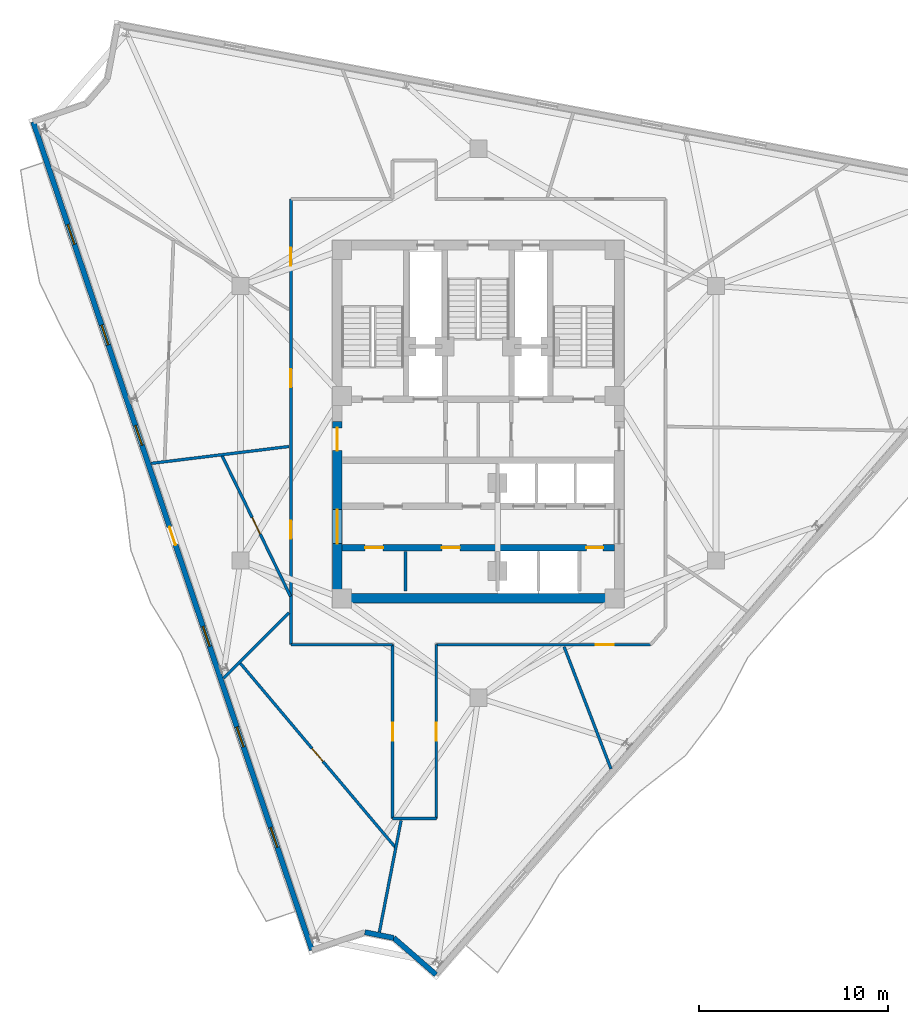
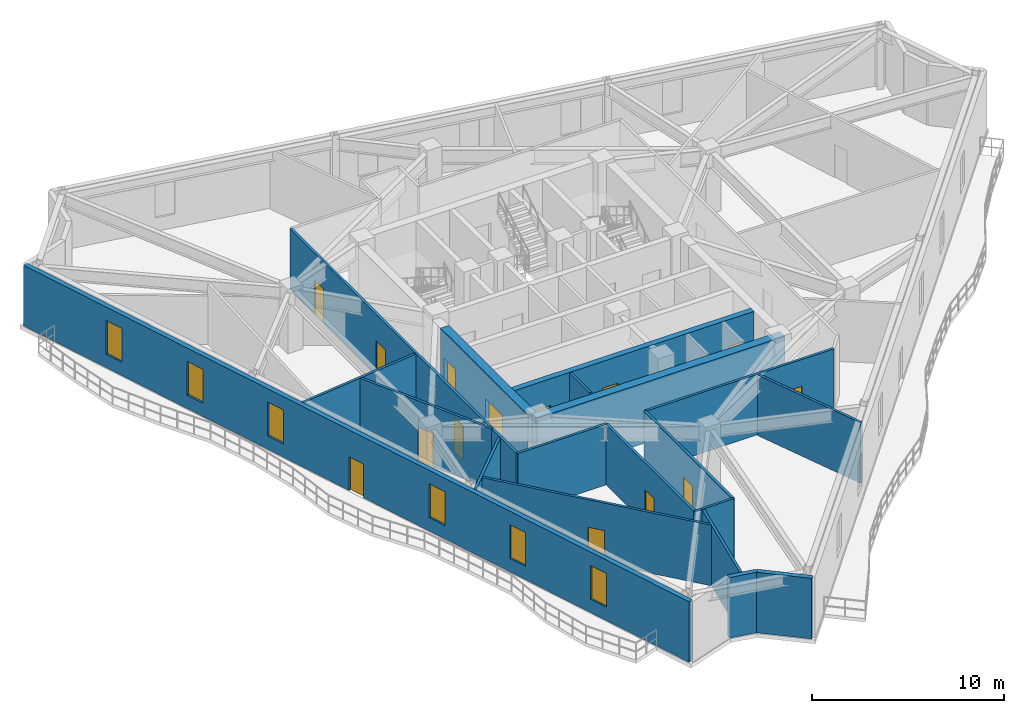
# One storey, part 4 of 10: 19 walls, 14 doors, 6 windows, 20 openings.
"""IFC4 building model written with IfcOpenShell, lengths in metres."""

from ifc_helpers import new_model, si_unit, direction, frame, frame_2d, origin, place, context, subcontext, project, spatial, rectangle, extrude, material, layer, layer_set, type_object, element, fill, save


model = new_model("IFC4")

# Units and contexts
model_context = context("Model", 3, precision=1e-05, world=origin(), true_north=direction((0.0, 1.0)))
body_context = subcontext(model_context, "Body", "Model", "MODEL_VIEW")
ifc_project = project(units=[si_unit("LENGTHUNIT", "METRE"), si_unit("AREAUNIT", "SQUARE_METRE"), si_unit("VOLUMEUNIT", "CUBIC_METRE"), si_unit("PLANEANGLEUNIT", "RADIAN"), si_unit("MASSUNIT", "GRAM", prefix="KILO")], contexts=[model_context])

# Site, building, storey
site_placement = place(None, origin())
site = spatial("IfcSite", under=ifc_project, at=site_placement, CompositionType="ELEMENT")
building_placement = place(site_placement, origin())
building = spatial("IfcBuilding", under=site, at=building_placement, Name="Apsidion Concourse Tower", CompositionType="ELEMENT")
storey_placement = place(building_placement, frame((0.0, 0.0, 269.60009765625)))
storey = spatial("IfcBuildingStorey", under=building, at=storey_placement, Name="L63", CompositionType="ELEMENT", Elevation=269.60009765625)

# Walls
ifc_material_1 = material(Name="Precast concrete C40/50", Category="concrete")
ifc_layer_1 = layer(ifc_material_1, 0.280029296875)
ifc_layer_set_1 = layer_set([ifc_layer_1], Name="Precast concrete C40/50")
wall_type_1 = type_object("IfcWallType", Name="WL-EXT-280", PredefinedType="STANDARD", material=ifc_layer_set_1)
wall_1_placement = place(storey_placement, frame((-2.235595703125, -29.126220703125, 0.0), z_axis=(0.0, 0.0, 1.0), x_axis=(-0.754753154029, 0.656008899698, 0.0)))
element("IfcWall", 1, at=wall_1_placement, inside=storey, type_object=wall_type_1, Name="L63 Precast Stone Facade Wall 06", PredefinedType="STANDARD", context=body_context, shape_type="SweptSolid", body=[
    extrude(rectangle(XDim=2.95458984375, YDim=0.280029296875, at=frame_2d((1.477294921875, 0.0))), origin(), (0.0, 0.0, 1.0), 3.849853515625),
])
wall_2_placement = place(storey_placement, frame((-4.465576171875, -27.18798828125, 0.0), z_axis=(0.0, 0.0, 1.0), x_axis=(-0.980935552899, 0.194333324621, 0.0)))
element("IfcWall", 2, at=wall_2_placement, inside=storey, type_object=wall_type_1, Name="L63 Precast Stone Facade Wall 07", PredefinedType="STANDARD", context=body_context, shape_type="SweptSolid", body=[
    extrude(rectangle(XDim=1.553955078125, YDim=0.280029296875, at=frame_2d((0.77685546875, 0.0))), origin(), (0.0, 0.0, 1.0), 3.849853515625),
])

# Wall, openings, door, windows
wall_3_placement = place(storey_placement, frame((-8.790283203125, -27.828125, 0.0), z_axis=(0.0, 0.0, 1.0), x_axis=(-0.318898365887, 0.947788917552, 0.0)))
wall_3 = element("IfcWall", 3, at=wall_3_placement, inside=storey, type_object=wall_type_1, Name="L63 Precast Stone Facade Wall 09", PredefinedType="STANDARD", context=body_context, shape_type="SweptSolid", body=[
    extrude(rectangle(XDim=46.16259765625, YDim=0.280029296875, at=frame_2d((23.081298828125, 0.0))), origin(), (0.0, 0.0, 1.0), 3.849853515625),
])
opening_1_placement = place(wall_3_placement, frame((22.581298828125, 0.0, 0.0)))
opening_1 = element("IfcOpeningElement", 4, at=opening_1_placement, cuts=wall_3, Name="Opening D-T1R", PredefinedType="OPENING", context=body_context, shape_type="SweptSolid", body=[
    extrude(rectangle(XDim=1.0, YDim=2.14990234375, at=frame_2d((0.5, 1.074951171875))), frame((0.0, 0.14990234375, 0.0), z_axis=(0.0, -1.0, 0.0), x_axis=(1.0, 0.0, 0.0)), (0.0, 0.0, 1.0), 0.300048828125),
])
opening_2_placement = place(wall_3_placement, frame((5.731201171875, 0.0, 0.85009765625)))
opening_2 = element("IfcOpeningElement", 5, at=opening_2_placement, cuts=wall_3, Name="Opening WN-07", PredefinedType="OPENING", context=body_context, shape_type="SweptSolid", body=[
    extrude(rectangle(XDim=1.10009765625, YDim=2.14990234375, at=frame_2d((0.550048828125, 1.074951171875))), frame((0.0, 0.14990234375, 0.0), z_axis=(0.0, -1.0, 0.0), x_axis=(1.0, 0.0, 0.0)), (0.0, 0.0, 1.0), 0.300048828125),
])
opening_3_placement = place(wall_3_placement, frame((11.331298828125, 0.0, 0.85009765625)))
opening_3 = element("IfcOpeningElement", 6, at=opening_3_placement, cuts=wall_3, Name="Opening WN-07", PredefinedType="OPENING", context=body_context, shape_type="SweptSolid", body=[
    extrude(rectangle(XDim=1.10009765625, YDim=2.14990234375, at=frame_2d((0.550048828125, 1.074951171875))), frame((0.0, 0.14990234375, 0.0), z_axis=(0.0, -1.0, 0.0), x_axis=(1.0, 0.0, 0.0)), (0.0, 0.0, 1.0), 0.300048828125),
])
opening_4_placement = place(wall_3_placement, frame((16.931396484375, 0.0, 0.85009765625)))
opening_4 = element("IfcOpeningElement", 7, at=opening_4_placement, cuts=wall_3, Name="Opening WN-07", PredefinedType="OPENING", context=body_context, shape_type="SweptSolid", body=[
    extrude(rectangle(XDim=1.10009765625, YDim=2.14990234375, at=frame_2d((0.550048828125, 1.074951171875))), frame((0.0, 0.14990234375, 0.0), z_axis=(0.0, -1.0, 0.0), x_axis=(1.0, 0.0, 0.0)), (0.0, 0.0, 1.0), 0.300048828125),
])
opening_5_placement = place(wall_3_placement, frame((28.13134765625, 0.0, 0.85009765625)))
opening_5 = element("IfcOpeningElement", 8, at=opening_5_placement, cuts=wall_3, Name="Opening WN-07", PredefinedType="OPENING", context=body_context, shape_type="SweptSolid", body=[
    extrude(rectangle(XDim=1.10009765625, YDim=2.14990234375, at=frame_2d((0.550048828125, 1.074951171875))), frame((0.0, 0.14990234375, 0.0), z_axis=(0.0, -1.0, 0.0), x_axis=(1.0, 0.0, 0.0)), (0.0, 0.0, 1.0), 0.300048828125),
])
opening_6_placement = place(wall_3_placement, frame((33.731201171875, 0.0, 0.85009765625)))
opening_6 = element("IfcOpeningElement", 9, at=opening_6_placement, cuts=wall_3, Name="Opening WN-07", PredefinedType="OPENING", context=body_context, shape_type="SweptSolid", body=[
    extrude(rectangle(XDim=1.10009765625, YDim=2.14990234375, at=frame_2d((0.550048828125, 1.074951171875))), frame((0.0, 0.14990234375, 0.0), z_axis=(0.0, -1.0, 0.0), x_axis=(1.0, 0.0, 0.0)), (0.0, 0.0, 1.0), 0.300048828125),
])
opening_7_placement = place(wall_3_placement, frame((39.331298828125, 0.0, 0.85009765625)))
opening_7 = element("IfcOpeningElement", 10, at=opening_7_placement, cuts=wall_3, Name="Opening WN-07", PredefinedType="OPENING", context=body_context, shape_type="SweptSolid", body=[
    extrude(rectangle(XDim=1.10009765625, YDim=2.14990234375, at=frame_2d((0.550048828125, 1.074951171875))), frame((0.0, 0.14990234375, 0.0), z_axis=(0.0, -1.0, 0.0), x_axis=(1.0, 0.0, 0.0)), (0.0, 0.0, 1.0), 0.300048828125),
])
ifc_material_2 = material(Name="Anodised aluminium EN AW-6063 T6", Category="aluminium")
door_type_1 = type_object("IfcDoorType", Name="DR-TER-1022R", OperationType="SINGLE_SWING_RIGHT", PredefinedType="DOOR", material=ifc_material_2)
door_1_placement = place(opening_1_placement, origin())
door_1 = element("IfcDoor", 11, at=door_1_placement, inside=storey, type_object=door_type_1, Name="L63 Balcony Access Door 1", OperationType="SINGLE_SWING_RIGHT", OverallHeight=2.14990234375, OverallWidth=1.0, PredefinedType="DOOR", context=body_context, shape_type="SweptSolid", body=[
    extrude(rectangle(XDim=1.0, YDim=2.14990234375, at=frame_2d((0.5, 1.074951171875))), frame((0.0, 0.02490234375, 0.0), z_axis=(0.0, -1.0, 0.0), x_axis=(1.0, 0.0, 0.0)), (0.0, 0.0, 1.0), 0.050048828125),
])
fill(opening_1, door_1)
ifc_material_3 = material(Name="Insulated laminated low-E glass", Category="glass")
window_type = type_object("IfcWindowType", Name="WN-OFF-1123", PartitioningType="SINGLE_PANEL", PredefinedType="WINDOW", material=ifc_material_3)
window_1_placement = place(opening_2_placement, origin())
window_1 = element("IfcWindow", 12, at=window_1_placement, inside=storey, type_object=window_type, Name="L63 Punched Facade Window 9-01", OverallHeight=2.14990234375, OverallWidth=1.10009765625, PartitioningType="SINGLE_PANEL", PredefinedType="WINDOW", context=body_context, shape_type="SweptSolid", body=[
    extrude(rectangle(XDim=1.10009765625, YDim=2.14990234375, at=frame_2d((0.550048828125, 1.074951171875))), frame((0.0, 0.030029296875, 0.0), z_axis=(0.0, -1.0, 0.0), x_axis=(1.0, 0.0, 0.0)), (0.0, 0.0, 1.0), 0.06005859375),
])
fill(opening_2, window_1)
window_2_placement = place(opening_3_placement, origin())
window_2 = element("IfcWindow", 13, at=window_2_placement, inside=storey, type_object=window_type, Name="L63 Punched Facade Window 9-02", OverallHeight=2.14990234375, OverallWidth=1.10009765625, PartitioningType="SINGLE_PANEL", PredefinedType="WINDOW", context=body_context, shape_type="SweptSolid", body=[
    extrude(rectangle(XDim=1.10009765625, YDim=2.14990234375, at=frame_2d((0.550048828125, 1.074951171875))), frame((0.0, 0.030029296875, 0.0), z_axis=(0.0, -1.0, 0.0), x_axis=(1.0, 0.0, 0.0)), (0.0, 0.0, 1.0), 0.06005859375),
])
fill(opening_3, window_2)
window_3_placement = place(opening_4_placement, origin())
window_3 = element("IfcWindow", 14, at=window_3_placement, inside=storey, type_object=window_type, Name="L63 Punched Facade Window 9-03", OverallHeight=2.14990234375, OverallWidth=1.10009765625, PartitioningType="SINGLE_PANEL", PredefinedType="WINDOW", context=body_context, shape_type="SweptSolid", body=[
    extrude(rectangle(XDim=1.10009765625, YDim=2.14990234375, at=frame_2d((0.550048828125, 1.074951171875))), frame((0.0, 0.030029296875, 0.0), z_axis=(0.0, -1.0, 0.0), x_axis=(1.0, 0.0, 0.0)), (0.0, 0.0, 1.0), 0.06005859375),
])
fill(opening_4, window_3)
window_4_placement = place(opening_5_placement, origin())
window_4 = element("IfcWindow", 15, at=window_4_placement, inside=storey, type_object=window_type, Name="L63 Punched Facade Window 9-05", OverallHeight=2.14990234375, OverallWidth=1.10009765625, PartitioningType="SINGLE_PANEL", PredefinedType="WINDOW", context=body_context, shape_type="SweptSolid", body=[
    extrude(rectangle(XDim=1.10009765625, YDim=2.14990234375, at=frame_2d((0.550048828125, 1.074951171875))), frame((0.0, 0.030029296875, 0.0), z_axis=(0.0, -1.0, 0.0), x_axis=(1.0, 0.0, 0.0)), (0.0, 0.0, 1.0), 0.06005859375),
])
fill(opening_5, window_4)
window_5_placement = place(opening_6_placement, origin())
window_5 = element("IfcWindow", 16, at=window_5_placement, inside=storey, type_object=window_type, Name="L63 Punched Facade Window 9-06", OverallHeight=2.14990234375, OverallWidth=1.10009765625, PartitioningType="SINGLE_PANEL", PredefinedType="WINDOW", context=body_context, shape_type="SweptSolid", body=[
    extrude(rectangle(XDim=1.10009765625, YDim=2.14990234375, at=frame_2d((0.550048828125, 1.074951171875))), frame((0.0, 0.030029296875, 0.0), z_axis=(0.0, -1.0, 0.0), x_axis=(1.0, 0.0, 0.0)), (0.0, 0.0, 1.0), 0.06005859375),
])
fill(opening_6, window_5)
window_6_placement = place(opening_7_placement, origin())
window_6 = element("IfcWindow", 17, at=window_6_placement, inside=storey, type_object=window_type, Name="L63 Punched Facade Window 9-07", OverallHeight=2.14990234375, OverallWidth=1.10009765625, PartitioningType="SINGLE_PANEL", PredefinedType="WINDOW", context=body_context, shape_type="SweptSolid", body=[
    extrude(rectangle(XDim=1.10009765625, YDim=2.14990234375, at=frame_2d((0.550048828125, 1.074951171875))), frame((0.0, 0.030029296875, 0.0), z_axis=(0.0, -1.0, 0.0), x_axis=(1.0, 0.0, 0.0)), (0.0, 0.0, 1.0), 0.06005859375),
])
fill(opening_7, window_6)

# Walls
ifc_material_4 = material(Name="Gypsum plasterboard partition")
ifc_layer_2 = layer(ifc_material_4, 0.14990234375)
ifc_layer_set_2 = layer_set([ifc_layer_2], Name="Gypsum plasterboard partition")
wall_type_2 = type_object("IfcWallType", Name="WL-INT-PAR-150", PredefinedType="PARTITIONING", material=ifc_layer_set_2)
wall_4_placement = place(storey_placement, frame((-3.85009765625, -8.85009765625, 0.0), z_axis=(0.0, 0.0, 1.0), x_axis=(0.0, 1.0, 0.0)))
element("IfcWall", 18, at=wall_4_placement, inside=storey, type_object=wall_type_2, Name="L63 Interior Partition WL-L63-B2RV1", PredefinedType="PARTITIONING", context=body_context, shape_type="SweptSolid", body=[
    extrude(rectangle(XDim=2.080078125, YDim=0.14990234375, at=frame_2d((1.0400390625, 0.0))), origin(), (0.0, 0.0, 1.0), 3.849853515625),
])
wall_5_placement = place(storey_placement, frame((-4.530029296875, -11.699951171875, 0.0), z_axis=(0.0, 0.0, 1.0), x_axis=(-1.0, 0.0, 0.0)))
element("IfcWall", 19, at=wall_5_placement, inside=storey, type_object=wall_type_2, Name="L63 Interior Partition WL-L63-CORR-01", PredefinedType="PARTITIONING", context=body_context, shape_type="SweptSolid", body=[
    extrude(rectangle(XDim=5.369873046875, YDim=0.14990234375, at=frame_2d((2.68505859375, 0.0))), origin(), (0.0, 0.0, 1.0), 3.849853515625),
])

# Wall, openings, doors
wall_6_placement = place(storey_placement, frame((-9.89990234375, -11.699951171875, 0.0), z_axis=(0.0, 0.0, 1.0), x_axis=(0.0, 1.0, 0.0)))
wall_6 = element("IfcWall", 20, at=wall_6_placement, inside=storey, type_object=wall_type_2, Name="L63 Interior Partition WL-L63-CORR-02", PredefinedType="PARTITIONING", context=body_context, shape_type="SweptSolid", body=[
    extrude(rectangle(XDim=23.550048828125, YDim=0.14990234375, at=frame_2d((11.77490234375, 0.0))), origin(), (0.0, 0.0, 1.0), 3.849853515625),
])
opening_8_placement = place(wall_6_placement, frame((5.603271484375, 0.0, 0.0)))
opening_8 = element("IfcOpeningElement", 21, at=opening_8_placement, cuts=wall_6, Name="Opening D-01L", PredefinedType="OPENING", context=body_context, shape_type="SweptSolid", body=[
    extrude(rectangle(XDim=0.949951171875, YDim=2.14990234375, at=frame_2d((0.47509765625, 1.074951171875))), frame((0.0, 0.0849609375, 0.0), z_axis=(0.0, -1.0, 0.0), x_axis=(1.0, 0.0, 0.0)), (0.0, 0.0, 1.0), 0.169921875),
])
opening_9_placement = place(wall_6_placement, frame((20.027587890625, 0.0, 0.0)))
opening_9 = element("IfcOpeningElement", 22, at=opening_9_placement, cuts=wall_6, Name="Opening D-01L", PredefinedType="OPENING", context=body_context, shape_type="SweptSolid", body=[
    extrude(rectangle(XDim=0.949951171875, YDim=2.14990234375, at=frame_2d((0.47509765625, 1.074951171875))), frame((0.0, 0.0849609375, 0.0), z_axis=(0.0, -1.0, 0.0), x_axis=(1.0, 0.0, 0.0)), (0.0, 0.0, 1.0), 0.169921875),
])
opening_10_placement = place(wall_6_placement, frame((13.612548828125, 0.0, 0.0)))
opening_10 = element("IfcOpeningElement", 23, at=opening_10_placement, cuts=wall_6, Name="Opening D-01R", PredefinedType="OPENING", context=body_context, shape_type="SweptSolid", body=[
    extrude(rectangle(XDim=0.949951171875, YDim=2.14990234375, at=frame_2d((0.47509765625, 1.074951171875))), frame((0.0, 0.0849609375, 0.0), z_axis=(0.0, -1.0, 0.0), x_axis=(1.0, 0.0, 0.0)), (0.0, 0.0, 1.0), 0.169921875),
])
ifc_material_5 = material(Name="Brushed stainless steel 316", Category="steel")
door_type_2 = type_object("IfcDoorType", Name="DR-INT-D01L", OperationType="SINGLE_SWING_LEFT", PredefinedType="DOOR", material=ifc_material_5)
door_2_placement = place(opening_8_placement, origin())
door_2 = element("IfcDoor", 24, at=door_2_placement, inside=storey, type_object=door_type_2, Name="L63 Corridor Entry Door 01", OperationType="SINGLE_SWING_LEFT", OverallHeight=2.14990234375, OverallWidth=0.949951171875, PredefinedType="DOOR", context=body_context, shape_type="SweptSolid", body=[
    extrude(rectangle(XDim=0.949951171875, YDim=2.14990234375, at=frame_2d((0.47509765625, 1.074951171875))), frame((0.0, 0.02490234375, 0.0), z_axis=(0.0, -1.0, 0.0), x_axis=(1.0, 0.0, 0.0)), (0.0, 0.0, 1.0), 0.050048828125),
])
fill(opening_8, door_2)
door_3_placement = place(opening_9_placement, origin())
door_3 = element("IfcDoor", 25, at=door_3_placement, inside=storey, type_object=door_type_2, Name="L63 Corridor Entry Door 09", OperationType="SINGLE_SWING_LEFT", OverallHeight=2.14990234375, OverallWidth=0.949951171875, PredefinedType="DOOR", context=body_context, shape_type="SweptSolid", body=[
    extrude(rectangle(XDim=0.949951171875, YDim=2.14990234375, at=frame_2d((0.47509765625, 1.074951171875))), frame((0.0, 0.02490234375, 0.0), z_axis=(0.0, -1.0, 0.0), x_axis=(1.0, 0.0, 0.0)), (0.0, 0.0, 1.0), 0.050048828125),
])
fill(opening_9, door_3)
door_type_3 = type_object("IfcDoorType", Name="DR-INT-D01R", OperationType="SINGLE_SWING_RIGHT", PredefinedType="DOOR", material=ifc_material_5)
door_4_placement = place(opening_10_placement, origin())
door_4 = element("IfcDoor", 26, at=door_4_placement, inside=storey, type_object=door_type_3, Name="L63 Corridor Entry Door 10", OperationType="SINGLE_SWING_RIGHT", OverallHeight=2.14990234375, OverallWidth=0.949951171875, PredefinedType="DOOR", context=body_context, shape_type="SweptSolid", body=[
    extrude(rectangle(XDim=0.949951171875, YDim=2.14990234375, at=frame_2d((0.47509765625, 1.074951171875))), frame((0.0, 0.02490234375, 0.0), z_axis=(0.0, -1.0, 0.0), x_axis=(1.0, 0.0, 0.0)), (0.0, 0.0, 1.0), 0.050048828125),
])
fill(opening_10, door_4)

# Wall, opening, door
wall_7_placement = place(storey_placement, frame((9.103271484375, -11.699951171875, 0.0), z_axis=(0.0, 0.0, 1.0), x_axis=(-1.0, 0.0, 0.0)))
wall_7 = element("IfcWall", 27, at=wall_7_placement, inside=storey, type_object=wall_type_2, Name="L63 Interior Partition WL-L63-CORR-10", PredefinedType="PARTITIONING", context=body_context, shape_type="SweptSolid", body=[
    extrude(rectangle(XDim=11.3232421875, YDim=0.14990234375, at=frame_2d((5.66162109375, 0.0))), origin(), (0.0, 0.0, 1.0), 3.849853515625),
])
opening_11_placement = place(wall_7_placement, frame((1.940185546875, 0.0, 0.0)))
opening_11 = element("IfcOpeningElement", 28, at=opening_11_placement, cuts=wall_7, Name="Opening D-01R", PredefinedType="OPENING", context=body_context, shape_type="SweptSolid", body=[
    extrude(rectangle(XDim=0.949951171875, YDim=2.14990234375, at=frame_2d((0.47509765625, 1.074951171875))), frame((0.0, 0.0849609375, 0.0), z_axis=(0.0, -1.0, 0.0), x_axis=(1.0, 0.0, 0.0)), (0.0, 0.0, 1.0), 0.169921875),
])
door_5_placement = place(opening_11_placement, origin())
door_5 = element("IfcDoor", 29, at=door_5_placement, inside=storey, type_object=door_type_3, Name="L63 Corridor Entry Door 04", OperationType="SINGLE_SWING_RIGHT", OverallHeight=2.14990234375, OverallWidth=0.949951171875, PredefinedType="DOOR", context=body_context, shape_type="SweptSolid", body=[
    extrude(rectangle(XDim=0.949951171875, YDim=2.14990234375, at=frame_2d((0.47509765625, 1.074951171875))), frame((0.0, 0.02490234375, 0.0), z_axis=(0.0, -1.0, 0.0), x_axis=(1.0, 0.0, 0.0)), (0.0, 0.0, 1.0), 0.050048828125),
])
fill(opening_11, door_5)

wall_8_placement = place(storey_placement, frame((-2.219970703125, -11.699951171875, 0.0), z_axis=(0.0, 0.0, 1.0), x_axis=(0.0, -1.0, 0.0)))
wall_8 = element("IfcWall", 30, at=wall_8_placement, inside=storey, type_object=wall_type_2, Name="L63 Interior Partition WL-L63-CORR-11", PredefinedType="PARTITIONING", context=body_context, shape_type="SweptSolid", body=[
    extrude(rectangle(XDim=9.179931640625, YDim=0.14990234375, at=frame_2d((4.58984375, 0.0))), origin(), (0.0, 0.0, 1.0), 3.849853515625),
])
opening_12_placement = place(wall_8_placement, frame((4.114990234375, 0.0, 0.0)))
opening_12 = element("IfcOpeningElement", 31, at=opening_12_placement, cuts=wall_8, Name="Opening D-01L", PredefinedType="OPENING", context=body_context, shape_type="SweptSolid", body=[
    extrude(rectangle(XDim=0.949951171875, YDim=2.14990234375, at=frame_2d((0.47509765625, 1.074951171875))), frame((0.0, 0.0849609375, 0.0), z_axis=(0.0, -1.0, 0.0), x_axis=(1.0, 0.0, 0.0)), (0.0, 0.0, 1.0), 0.169921875),
])
door_6_placement = place(opening_12_placement, origin())
door_6 = element("IfcDoor", 32, at=door_6_placement, inside=storey, type_object=door_type_2, Name="L63 Corridor Entry Door 03", OperationType="SINGLE_SWING_LEFT", OverallHeight=2.14990234375, OverallWidth=0.949951171875, PredefinedType="DOOR", context=body_context, shape_type="SweptSolid", body=[
    extrude(rectangle(XDim=0.949951171875, YDim=2.14990234375, at=frame_2d((0.47509765625, 1.074951171875))), frame((0.0, 0.02490234375, 0.0), z_axis=(0.0, -1.0, 0.0), x_axis=(1.0, 0.0, 0.0)), (0.0, 0.0, 1.0), 0.050048828125),
])
fill(opening_12, door_6)

# Wall
wall_9_placement = place(storey_placement, frame((-2.219970703125, -20.8798828125, 0.0), z_axis=(0.0, 0.0, 1.0), x_axis=(-1.0, 0.0, 0.0)))
element("IfcWall", 33, at=wall_9_placement, inside=storey, type_object=wall_type_2, Name="L63 Interior Partition WL-L63-CORR-12", PredefinedType="PARTITIONING", context=body_context, shape_type="SweptSolid", body=[
    extrude(rectangle(XDim=2.31005859375, YDim=0.14990234375, at=frame_2d((1.155029296875, 0.0))), origin(), (0.0, 0.0, 1.0), 3.849853515625),
])

# Wall, opening, door
wall_10_placement = place(storey_placement, frame((-4.530029296875, -20.8798828125, 0.0), z_axis=(0.0, 0.0, 1.0), x_axis=(0.0, 1.0, 0.0)))
wall_10 = element("IfcWall", 34, at=wall_10_placement, inside=storey, type_object=wall_type_2, Name="L63 Interior Partition WL-L63-CORR-13", PredefinedType="PARTITIONING", context=body_context, shape_type="SweptSolid", body=[
    extrude(rectangle(XDim=9.179931640625, YDim=0.14990234375, at=frame_2d((4.58984375, 0.0))), origin(), (0.0, 0.0, 1.0), 3.849853515625),
])
opening_13_placement = place(wall_10_placement, frame((4.114990234375, 0.0, 0.0)))
opening_13 = element("IfcOpeningElement", 35, at=opening_13_placement, cuts=wall_10, Name="Opening D-01R", PredefinedType="OPENING", context=body_context, shape_type="SweptSolid", body=[
    extrude(rectangle(XDim=0.949951171875, YDim=2.14990234375, at=frame_2d((0.47509765625, 1.074951171875))), frame((0.0, 0.0849609375, 0.0), z_axis=(0.0, -1.0, 0.0), x_axis=(1.0, 0.0, 0.0)), (0.0, 0.0, 1.0), 0.169921875),
])
door_7_placement = place(opening_13_placement, origin())
door_7 = element("IfcDoor", 36, at=door_7_placement, inside=storey, type_object=door_type_3, Name="L63 Corridor Entry Door 02", OperationType="SINGLE_SWING_RIGHT", OverallHeight=2.14990234375, OverallWidth=0.949951171875, PredefinedType="DOOR", context=body_context, shape_type="SweptSolid", body=[
    extrude(rectangle(XDim=0.949951171875, YDim=2.14990234375, at=frame_2d((0.47509765625, 1.074951171875))), frame((0.0, 0.02490234375, 0.0), z_axis=(0.0, -1.0, 0.0), x_axis=(1.0, 0.0, 0.0)), (0.0, 0.0, 1.0), 0.050048828125),
])
fill(opening_13, door_7)

# Walls
wall_11_placement = place(storey_placement, frame((-10.0048828125, -1.228515625, 0.0), z_axis=(0.0, 0.0, 1.0), x_axis=(-0.992546213565, -0.121868839075, 0.0)))
element("IfcWall", 37, at=wall_11_placement, inside=storey, type_object=wall_type_2, Name="L63 Interior Partition WL-L63-RAD-05-1", PredefinedType="PARTITIONING", context=body_context, shape_type="SweptSolid", body=[
    extrude(rectangle(XDim=7.326171875, YDim=0.14990234375, at=frame_2d((3.6630859375, 0.0))), origin(), (0.0, 0.0, 1.0), 3.849853515625),
])
wall_12_placement = place(storey_placement, frame((-10.0048828125, -10.0048828125, 0.0), z_axis=(0.0, 0.0, 1.0), x_axis=(-0.707106781187, -0.707106781187, 0.0)))
element("IfcWall", 38, at=wall_12_placement, inside=storey, type_object=wall_type_2, Name="L63 Interior Partition WL-L63-RAD-06-1", PredefinedType="PARTITIONING", context=body_context, shape_type="SweptSolid", body=[
    extrude(rectangle(XDim=4.8876953125, YDim=0.14990234375, at=frame_2d((2.44384765625, 0.0))), origin(), (0.0, 0.0, 1.0), 3.849853515625),
])
wall_13_placement = place(storey_placement, frame((-4.0791015625, -20.985107421875, 0.0), z_axis=(0.0, 0.0, 1.0), x_axis=(-0.190811980643, -0.981626603166, 0.0)))
element("IfcWall", 39, at=wall_13_placement, inside=storey, type_object=wall_type_2, Name="L63 Interior Partition WL-L63-RAD-07-1", PredefinedType="PARTITIONING", context=body_context, shape_type="SweptSolid", body=[
    extrude(rectangle(XDim=6.004638671875, YDim=0.14990234375, at=frame_2d((3.00244140625, 0.0))), origin(), (0.0, 0.0, 1.0), 3.849853515625),
])
wall_14_placement = place(storey_placement, frame((4.531494140625, -11.804931640625, 0.0), z_axis=(0.0, 0.0, 1.0), x_axis=(0.358380046902, -0.933575782667, 0.0)))
element("IfcWall", 40, at=wall_14_placement, inside=storey, type_object=wall_type_2, Name="L63 Interior Partition WL-L63-RAD-08-1", PredefinedType="PARTITIONING", context=body_context, shape_type="SweptSolid", body=[
    extrude(rectangle(XDim=6.910400390625, YDim=0.14990234375, at=frame_2d((3.455078125, 0.0))), origin(), (0.0, 0.0, 1.0), 3.849853515625),
])

# Wall, opening, door
wall_15_placement = place(storey_placement, frame((-13.548583984375, -1.688720703125, 0.0), z_axis=(0.0, 0.0, 1.0), x_axis=(0.437647826463, -0.899146473046, 0.0)))
wall_15 = element("IfcWall", 41, at=wall_15_placement, inside=storey, type_object=wall_type_2, Name="L63 Interior Partition WL-L63-CHD-OFWC", PredefinedType="PARTITIONING", context=body_context, shape_type="SweptSolid", body=[
    extrude(rectangle(XDim=8.291259765625, YDim=0.14990234375, at=frame_2d((4.1455078125, 0.0))), origin(), (0.0, 0.0, 1.0), 3.849853515625),
])
opening_14_placement = place(wall_15_placement, frame((3.670654296875, 0.0, 0.0)))
opening_14 = element("IfcOpeningElement", 42, at=opening_14_placement, cuts=wall_15, Name="Opening D-04L", PredefinedType="OPENING", context=body_context, shape_type="SweptSolid", body=[
    extrude(rectangle(XDim=0.949951171875, YDim=2.14990234375, at=frame_2d((0.47509765625, 1.074951171875))), frame((0.0, 0.0849609375, 0.0), z_axis=(0.0, -1.0, 0.0), x_axis=(1.0, 0.0, 0.0)), (0.0, 0.0, 1.0), 0.169921875),
])
door_type_4 = type_object("IfcDoorType", Name="DR-INT-D04L", OperationType="SINGLE_SWING_LEFT", PredefinedType="DOOR", material=ifc_material_5)
door_8_placement = place(opening_14_placement, origin())
door_8 = element("IfcDoor", 43, at=door_8_placement, inside=storey, type_object=door_type_4, Name="L63 Suite Connecting Door OFWC", OperationType="SINGLE_SWING_LEFT", OverallHeight=2.14990234375, OverallWidth=0.949951171875, PredefinedType="DOOR", context=body_context, shape_type="SweptSolid", body=[
    extrude(rectangle(XDim=0.949951171875, YDim=2.14990234375, at=frame_2d((0.47509765625, 1.074951171875))), frame((0.0, 0.02490234375, 0.0), z_axis=(0.0, -1.0, 0.0), x_axis=(1.0, 0.0, 0.0)), (0.0, 0.0, 1.0), 0.050048828125),
])
fill(opening_14, door_8)

wall_16_placement = place(storey_placement, frame((-12.603759765625, -12.63916015625, 0.0), z_axis=(0.0, 0.0, 1.0), x_axis=(0.644218194915, -0.764841759674, 0.0)))
wall_16 = element("IfcWall", 44, at=wall_16_placement, inside=storey, type_object=wall_type_2, Name="L63 Interior Partition WL-L63-CHD-OFS01", PredefinedType="PARTITIONING", context=body_context, shape_type="SweptSolid", body=[
    extrude(rectangle(XDim=12.765380859375, YDim=0.14990234375, at=frame_2d((6.3828125, 0.0))), origin(), (0.0, 0.0, 1.0), 3.849853515625),
])
opening_15_placement = place(wall_16_placement, frame((5.9326171875, 0.0, 0.0)))
opening_15 = element("IfcOpeningElement", 45, at=opening_15_placement, cuts=wall_16, Name="Opening D-02R", PredefinedType="OPENING", context=body_context, shape_type="SweptSolid", body=[
    extrude(rectangle(XDim=0.89990234375, YDim=2.10009765625, at=frame_2d((0.449951171875, 1.050048828125))), frame((0.0, 0.0849609375, 0.0), z_axis=(0.0, -1.0, 0.0), x_axis=(1.0, 0.0, 0.0)), (0.0, 0.0, 1.0), 0.169921875),
])
door_type_5 = type_object("IfcDoorType", Name="DR-INT-D02R", OperationType="SINGLE_SWING_RIGHT", PredefinedType="DOOR", material=ifc_material_2)
door_9_placement = place(opening_15_placement, origin())
door_9 = element("IfcDoor", 46, at=door_9_placement, inside=storey, type_object=door_type_5, Name="L63 Suite Connecting Door OFS01", OperationType="SINGLE_SWING_RIGHT", OverallHeight=2.10009765625, OverallWidth=0.89990234375, PredefinedType="DOOR", context=body_context, shape_type="SweptSolid", body=[
    extrude(rectangle(XDim=0.89990234375, YDim=2.10009765625, at=frame_2d((0.449951171875, 1.050048828125))), frame((0.0, 0.02490234375, 0.0), z_axis=(0.0, -1.0, 0.0), x_axis=(1.0, 0.0, 0.0)), (0.0, 0.0, 1.0), 0.050048828125),
])
fill(opening_15, door_9)

# Wall, openings, doors
ifc_material_6 = material(Name="Concrete C50/60", Category="concrete")
ifc_layer_3 = layer(ifc_material_6, 0.35009765625)
ifc_layer_set_3 = layer_set([ifc_layer_3], Name="Concrete C50/60")
wall_type_3 = type_object("IfcWallType", Name="WL-SH-350", PredefinedType="SHEAR", material=ifc_layer_set_3)
wall_17_placement = place(storey_placement, frame((-7.199951171875, -6.570068359375, 0.0), z_axis=(0.0, 0.0, 1.0), x_axis=(1.0, 0.0, 0.0)))
wall_17 = element("IfcWall", 47, at=wall_17_placement, inside=storey, type_object=wall_type_3, Name="L63 Central Core Shear Wall LB", PredefinedType="SHEAR", context=body_context, shape_type="SweptSolid", body=[
    extrude(rectangle(XDim=14.39990234375, YDim=0.35009765625, at=frame_2d((7.199951171875, 0.0))), origin(), (0.0, 0.0, 1.0), 3.849853515625),
])
opening_16_placement = place(wall_17_placement, frame((1.22509765625, 0.0, 0.0)))
opening_16 = element("IfcOpeningElement", 48, at=opening_16_placement, cuts=wall_17, Name="Opening D-04R", PredefinedType="OPENING", context=body_context, shape_type="SweptSolid", body=[
    extrude(rectangle(XDim=0.949951171875, YDim=2.14990234375, at=frame_2d((0.47509765625, 1.074951171875))), frame((0.0, 0.18505859375, 0.0), z_axis=(0.0, -1.0, 0.0), x_axis=(1.0, 0.0, 0.0)), (0.0, 0.0, 1.0), 0.3701171875),
])
opening_17_placement = place(wall_17_placement, frame((5.27490234375, 0.0, 0.0)))
opening_17 = element("IfcOpeningElement", 49, at=opening_17_placement, cuts=wall_17, Name="Opening D-04L", PredefinedType="OPENING", context=body_context, shape_type="SweptSolid", body=[
    extrude(rectangle(XDim=0.949951171875, YDim=2.14990234375, at=frame_2d((0.47509765625, 1.074951171875))), frame((0.0, 0.18505859375, 0.0), z_axis=(0.0, -1.0, 0.0), x_axis=(1.0, 0.0, 0.0)), (0.0, 0.0, 1.0), 0.3701171875),
])
opening_18_placement = place(wall_17_placement, frame((12.909912109375, 0.0, 0.0)))
opening_18 = element("IfcOpeningElement", 50, at=opening_18_placement, cuts=wall_17, Name="Opening D-05L", PredefinedType="OPENING", context=body_context, shape_type="SweptSolid", body=[
    extrude(rectangle(XDim=0.8798828125, YDim=2.14990234375, at=frame_2d((0.43994140625, 1.074951171875))), frame((0.0, 0.18505859375, 0.0), z_axis=(0.0, -1.0, 0.0), x_axis=(1.0, 0.0, 0.0)), (0.0, 0.0, 1.0), 0.3701171875),
])
door_10_placement = place(opening_17_placement, origin())
door_10 = element("IfcDoor", 51, at=door_10_placement, inside=storey, type_object=door_type_4, Name="L63 Executive Servery Pantry Door", OperationType="SINGLE_SWING_LEFT", OverallHeight=2.14990234375, OverallWidth=0.949951171875, PredefinedType="DOOR", context=body_context, shape_type="SweptSolid", body=[
    extrude(rectangle(XDim=0.949951171875, YDim=2.14990234375, at=frame_2d((0.47509765625, 1.074951171875))), frame((0.0, 0.02490234375, 0.0), z_axis=(0.0, -1.0, 0.0), x_axis=(1.0, 0.0, 0.0)), (0.0, 0.0, 1.0), 0.050048828125),
])
fill(opening_17, door_10)
door_type_6 = type_object("IfcDoorType", Name="DR-INT-D04R", OperationType="SINGLE_SWING_RIGHT", PredefinedType="DOOR", material=ifc_material_5)
door_11_placement = place(opening_16_placement, origin())
door_11 = element("IfcDoor", 52, at=door_11_placement, inside=storey, type_object=door_type_6, Name="L63 Executive Records Store Door", OperationType="SINGLE_SWING_RIGHT", OverallHeight=2.14990234375, OverallWidth=0.949951171875, PredefinedType="DOOR", context=body_context, shape_type="SweptSolid", body=[
    extrude(rectangle(XDim=0.949951171875, YDim=2.14990234375, at=frame_2d((0.47509765625, 1.074951171875))), frame((0.0, 0.02490234375, 0.0), z_axis=(0.0, -1.0, 0.0), x_axis=(1.0, 0.0, 0.0)), (0.0, 0.0, 1.0), 0.050048828125),
])
fill(opening_16, door_11)
door_type_7 = type_object("IfcDoorType", Name="DR-INT-D05L", OperationType="SINGLE_SWING_LEFT", PredefinedType="DOOR", material=ifc_material_5)
door_12_placement = place(opening_18_placement, origin())
door_12 = element("IfcDoor", 53, at=door_12_placement, inside=storey, type_object=door_type_7, Name="L63 Cleaners Store Door", OperationType="SINGLE_SWING_LEFT", OverallHeight=2.14990234375, OverallWidth=0.8798828125, PredefinedType="DOOR", context=body_context, shape_type="SweptSolid", body=[
    extrude(rectangle(XDim=0.8798828125, YDim=2.14990234375, at=frame_2d((0.43994140625, 1.074951171875))), frame((0.0, 0.02490234375, 0.0), z_axis=(0.0, -1.0, 0.0), x_axis=(1.0, 0.0, 0.0)), (0.0, 0.0, 1.0), 0.050048828125),
])
fill(opening_18, door_12)

ifc_layer_4 = layer(ifc_material_6, 0.5)
ifc_layer_set_4 = layer_set([ifc_layer_4], Name="Concrete C50/60")
wall_type_4 = type_object("IfcWallType", Name="WL-SH-500", PredefinedType="SHEAR", material=ifc_layer_set_4)
wall_18_placement = place(storey_placement, frame((-7.449951171875, -9.0, 0.0), z_axis=(0.0, 0.0, 1.0), x_axis=(0.0, 1.0, 0.0)))
wall_18 = element("IfcWall", 54, at=wall_18_placement, inside=storey, type_object=wall_type_4, Name="L63 Central Core Shear Wall WS", PredefinedType="SHEAR", context=body_context, shape_type="SweptSolid", body=[
    extrude(rectangle(XDim=9.10009765625, YDim=0.5, at=frame_2d((4.550048828125, 0.0))), origin(), (0.0, 0.0, 1.0), 3.849853515625),
])
opening_19_placement = place(wall_18_placement, frame((2.639892578125, 0.0, 0.0)))
opening_19 = element("IfcOpeningElement", 55, at=opening_19_placement, cuts=wall_18, Name="Opening D-06D", PredefinedType="OPENING", context=body_context, shape_type="SweptSolid", body=[
    extrude(rectangle(XDim=1.800048828125, YDim=2.199951171875, at=frame_2d((0.89990234375, 1.10009765625))), frame((0.0, 0.260009765625, 0.0), z_axis=(0.0, -1.0, 0.0), x_axis=(1.0, 0.0, 0.0)), (0.0, 0.0, 1.0), 0.52001953125),
])
opening_20_placement = place(wall_18_placement, frame((7.550048828125, 0.0, 0.0)))
opening_20 = element("IfcOpeningElement", 56, at=opening_20_placement, cuts=wall_18, Name="Opening D-FFL", PredefinedType="OPENING", context=body_context, shape_type="SweptSolid", body=[
    extrude(rectangle(XDim=1.199951171875, YDim=2.14990234375, at=frame_2d((0.60009765625, 1.074951171875))), frame((0.0, 0.260009765625, 0.0), z_axis=(0.0, -1.0, 0.0), x_axis=(1.0, 0.0, 0.0)), (0.0, 0.0, 1.0), 0.52001953125),
])
door_type_8 = type_object("IfcDoorType", Name="DR-INT-D06D", OperationType="DOUBLE_DOOR_SINGLE_SWING", PredefinedType="DOOR", material=ifc_material_5)
door_13_placement = place(opening_19_placement, origin())
door_13 = element("IfcDoor", 57, at=door_13_placement, inside=storey, type_object=door_type_8, Name="L63 Passenger Lift Lobby WS Portal Door", OperationType="DOUBLE_DOOR_SINGLE_SWING", OverallHeight=2.199951171875, OverallWidth=1.800048828125, PredefinedType="DOOR", context=body_context, shape_type="SweptSolid", body=[
    extrude(rectangle(XDim=1.800048828125, YDim=2.199951171875, at=frame_2d((0.89990234375, 1.10009765625))), frame((0.0, 0.02490234375, 0.0), z_axis=(0.0, -1.0, 0.0), x_axis=(1.0, 0.0, 0.0)), (0.0, 0.0, 1.0), 0.050048828125),
])
fill(opening_19, door_13)
door_type_9 = type_object("IfcDoorType", Name="DR-INT-FFL", OperationType="SINGLE_SWING_LEFT", PredefinedType="DOOR", material=ifc_material_5)
door_14_placement = place(opening_20_placement, origin())
door_14 = element("IfcDoor", 58, at=door_14_placement, inside=storey, type_object=door_type_9, Name="L63 Firefighting Lift Lobby FF1 Door", OperationType="SINGLE_SWING_LEFT", OverallHeight=2.14990234375, OverallWidth=1.199951171875, PredefinedType="DOOR", context=body_context, shape_type="SweptSolid", body=[
    extrude(rectangle(XDim=1.199951171875, YDim=2.14990234375, at=frame_2d((0.60009765625, 1.074951171875))), frame((0.0, 0.02490234375, 0.0), z_axis=(0.0, -1.0, 0.0), x_axis=(1.0, 0.0, 0.0)), (0.0, 0.0, 1.0), 0.050048828125),
])
fill(opening_20, door_14)

# Wall
wall_19_placement = place(storey_placement, frame((-7.449951171875, -9.25, 0.0), z_axis=(0.0, 0.0, 1.0), x_axis=(1.0, 0.0, 0.0)))
element("IfcWall", 59, at=wall_19_placement, inside=storey, type_object=wall_type_4, Name="L63 Central Core Shear Wall S", PredefinedType="SHEAR", context=body_context, shape_type="SweptSolid", body=[
    extrude(rectangle(XDim=14.89990234375, YDim=0.5, at=frame_2d((7.449951171875, 0.0))), origin(), (0.0, 0.0, 1.0), 3.849853515625),
])

save(model, "model.ifc")
